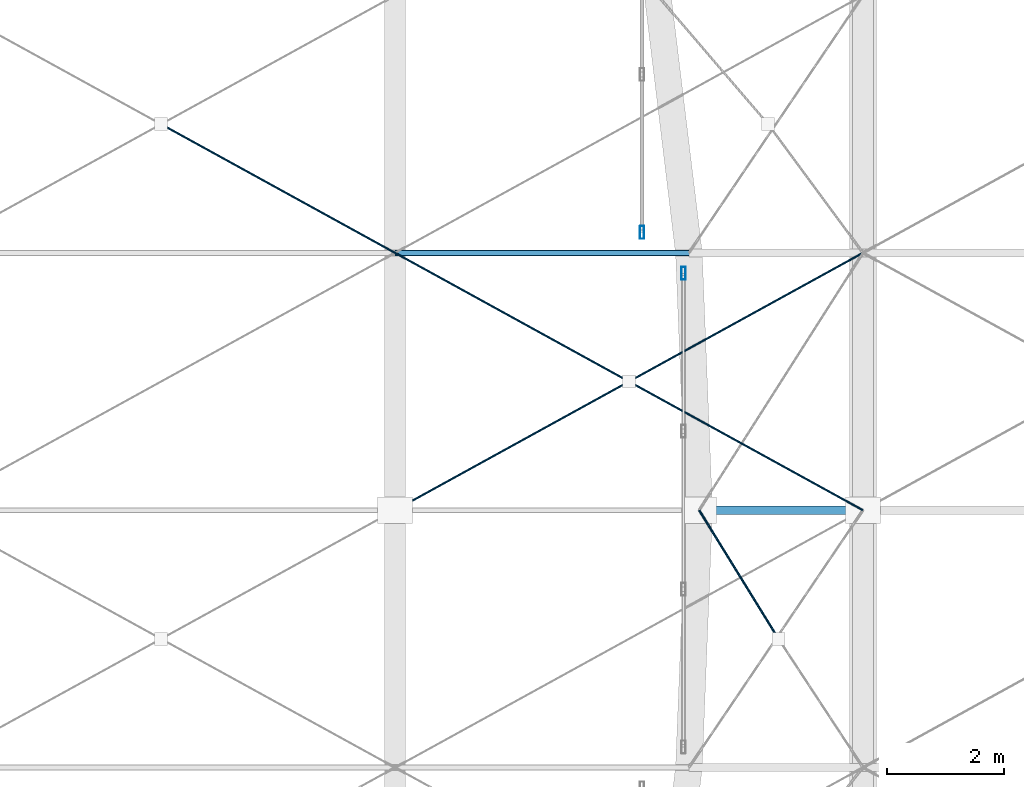
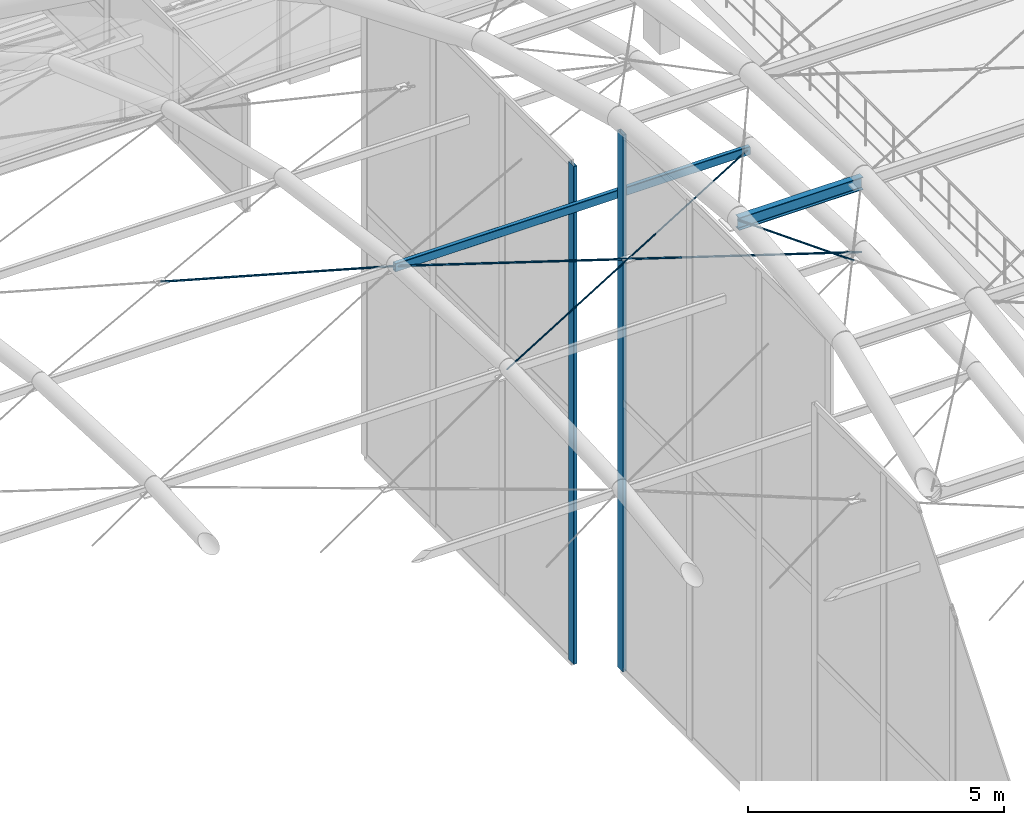
# One storey, part 27 of 163: 7 members, 2 beams, 2 elements without a shape of their own.
"""IFC4 building model written with IfcOpenShell, lengths in metres."""

from ifc_helpers import new_model, si_unit, direction, frame, origin, origin_2d, place, context, subcontext, project, spatial, hollow_rectangle, circle, i_section, extrude, material, material_profile, profile_set, type_object, element, aggregate, save


model = new_model("IFC4")

# Units and contexts
model_context = context("Model", 3, precision=1e-05, world=origin(), true_north=direction((0.0, 1.0)))
body_context = subcontext(model_context, "Body", "Model", "MODEL_VIEW")
ifc_project = project(units=[si_unit("LENGTHUNIT", "METRE"), si_unit("AREAUNIT", "SQUARE_METRE"), si_unit("VOLUMEUNIT", "CUBIC_METRE"), si_unit("PLANEANGLEUNIT", "RADIAN"), si_unit("MASSUNIT", "GRAM", prefix="KILO")], contexts=[model_context])

# Site, building, storey
site_placement = place(None, origin())
site = spatial("IfcSite", under=ifc_project, at=site_placement, CompositionType="ELEMENT")
building_placement = place(site_placement, origin())
building = spatial("IfcBuilding", under=site, at=building_placement, Name="Varnabhumi Central Station", CompositionType="ELEMENT")
storey_placement = place(building_placement, frame((0.0, 0.0, 9.60009765625)))
storey = spatial("IfcBuildingStorey", under=building, at=storey_placement, Name="L02", CompositionType="ELEMENT", Elevation=9.60009765625)

# Beams
ifc_material_1 = material(Name="Structural steel E350", Category="steel")
ifc_material_profile_1 = material_profile(ifc_material_1, i_section(OverallWidth=0.139892578125, OverallDepth=0.300048828125, WebThickness=0.0078125, FlangeThickness=0.01318359375, FilletRadius=0.013916015625, at=origin_2d()), Name="Structural steel E350", Category="steel")
ifc_profile_set_1 = profile_set([ifc_material_profile_1], Name="Structural steel E350")
beam_type_1 = type_object("IfcBeamType", Name="BM-PUR-ISMB300", PredefinedType="LINTEL", material=ifc_profile_set_1)
beam_1_placement = place(storey_placement, frame((45.199951171875, 58.0, 10.599853515625), z_axis=(1.0, 0.0, 0.0), x_axis=(0.0, 1.0, 0.0)))
element("IfcBeam", 1, at=beam_1_placement, inside=storey, type_object=beam_type_1, Name="Ticket Hall Vault Purlin B1-L5", PredefinedType="LINTEL", context=body_context, shape_type="SweptSolid", body=[
    extrude(i_section(OverallWidth=0.139892578125, OverallDepth=0.300048828125, WebThickness=0.0078125, FlangeThickness=0.01318359375, FilletRadius=0.013916015625, at=origin_2d()), origin(), (0.0, 0.0, 1.0), 2.800048828125),
])
ifc_material_profile_2 = material_profile(ifc_material_1, hollow_rectangle(XDim=0.10009765625, YDim=0.199951171875, WallThickness=0.008056640625, InnerFilletRadius=0.008056640625, OuterFilletRadius=0.01611328125, at=origin_2d()), Name="Structural steel E350", Category="steel")
ifc_profile_set_2 = profile_set([ifc_material_profile_2], Name="Structural steel E350")
beam_type_2 = type_object("IfcBeamType", Name="BM-PUR-RHS200", PredefinedType="JOIST", material=ifc_profile_set_2)
beam_2_placement = place(storey_placement, frame((40.0, 62.39990234375, 8.697265625), z_axis=(1.0, 0.0, 0.0), x_axis=(0.0, 1.0, 0.0)))
element("IfcBeam", 2, at=beam_2_placement, inside=storey, type_object=beam_type_2, Name="Entrance Portico Vault Purlin B4-L6", PredefinedType="JOIST", context=body_context, shape_type="SweptSolid", body=[
    extrude(hollow_rectangle(XDim=0.10009765625, YDim=0.199951171875, WallThickness=0.008056640625, InnerFilletRadius=0.008056640625, OuterFilletRadius=0.01611328125, at=origin_2d()), origin(), (0.0, 0.0, 1.0), 8.0),
])

# Curtain wall, member
ifc_material_2 = material(Name="Anodised aluminium 6063-T6", Category="aluminium")
curtain_wall_type = type_object("IfcCurtainWallType", Name="CW-VAULT-ARCH-V3", PredefinedType="NOTDEFINED", material=ifc_material_2)
curtain_wall_1_placement = place(storey_placement, origin())
curtain_wall_1 = element("IfcCurtainWall", 3, at=curtain_wall_1_placement, inside=storey, type_object=curtain_wall_type, Name="Curtain Wall CW-V33", PredefinedType="NOTDEFINED")
ifc_material_profile_3 = material_profile(ifc_material_2, hollow_rectangle(XDim=0.074951171875, YDim=0.219970703125, WallThickness=0.0048828125, InnerFilletRadius=0.0009765625, OuterFilletRadius=0.006103515625, at=origin_2d()), Name="Anodised aluminium 6063-T6", Category="aluminium")
ifc_profile_set_3 = profile_set([ifc_material_profile_3], Name="Anodised aluminium 6063-T6")
member_type_1 = type_object("IfcMemberType", Name="CW-MUL-220", PredefinedType="MULLION", material=ifc_profile_set_3)
member_1_placement = place(storey_placement, frame((44.931884765625, 62.050048828125, -2.400146484375), z_axis=(0.0, 0.0, 1.0), x_axis=(1.0, 0.0, 0.0)))
member_1 = element("IfcMember", 4, at=member_1_placement, type_object=member_type_1, Name="Curtain Wall Mullion CW-V33-M4", PredefinedType="MULLION", context=body_context, shape_type="SweptSolid", body=[
    extrude(hollow_rectangle(XDim=0.074951171875, YDim=0.219970703125, WallThickness=0.0048828125, InnerFilletRadius=0.0009765625, OuterFilletRadius=0.006103515625, at=origin_2d()), origin(), (0.0, 0.0, 1.0), 12.800048828125),
])
aggregate(curtain_wall_1, [member_1])

curtain_wall_2_placement = place(storey_placement, origin())
curtain_wall_2 = element("IfcCurtainWall", 5, at=curtain_wall_2_placement, inside=storey, type_object=curtain_wall_type, Name="Curtain Wall CW-V34", PredefinedType="NOTDEFINED")
member_2_placement = place(storey_placement, frame((44.22412109375, 62.75, -2.400146484375), z_axis=(0.0, 0.0, 1.0), x_axis=(1.0, 0.0, 0.0)))
member_2 = element("IfcMember", 6, at=member_2_placement, type_object=member_type_1, Name="Curtain Wall Mullion CW-V34-M1", PredefinedType="MULLION", context=body_context, shape_type="SweptSolid", body=[
    extrude(hollow_rectangle(XDim=0.074951171875, YDim=0.219970703125, WallThickness=0.0048828125, InnerFilletRadius=0.0009765625, OuterFilletRadius=0.006103515625, at=origin_2d()), origin(), (0.0, 0.0, 1.0), 11.87353515625),
])
aggregate(curtain_wall_2, [member_2])

# Members
ifc_material_3 = material(Name="Spiral-strand steel S1570", Category="steel")
ifc_material_profile_4 = material_profile(ifc_material_3, circle(Radius=0.01806640625, at=origin_2d()), Name="Spiral-strand steel S1570", Category="steel")
ifc_profile_set_4 = profile_set([ifc_material_profile_4], Name="Spiral-strand steel S1570")
member_type_2 = type_object("IfcMemberType", Name="MBR-CABLE-D36", PredefinedType="USERDEFINED", material=ifc_profile_set_4)
member_3_placement = place(storey_placement, frame((36.0, 64.60009765625, 8.409912109375), z_axis=(0.874218528757, -0.480862877268, 0.067177803205), x_axis=(0.481951596342, 0.876197842262, 0.0)))
element("IfcMember", 7, at=member_3_placement, inside=storey, type_object=member_type_2, Name="Entrance Portico Vault Cable-Net Split Tie B3-P7B2", ObjectType="TENSION CABLE", PredefinedType="USERDEFINED", context=body_context, shape_type="SweptSolid", body=[
    extrude(circle(Radius=0.01806640625, at=origin_2d()), origin(), (0.0, 0.0, 1.0), 4.575439453125),
])
member_4_placement = place(storey_placement, frame((40.0, 58.0, 8.919921875), z_axis=(0.876004697448, 0.48179189018, -0.022188839688), x_axis=(-0.481910537812, 0.876220425204, 0.0)))
element("IfcMember", 8, at=member_4_placement, inside=storey, type_object=member_type_2, Name="Entrance Portico Vault Cable-Net Tie B4-P6A", ObjectType="TENSION CABLE", PredefinedType="USERDEFINED", context=body_context, shape_type="SweptSolid", body=[
    extrude(circle(Radius=0.01806640625, at=origin_2d()), origin(), (0.0, 0.0, 1.0), 9.13232421875),
])
for number, where, z_axis, x_axis, name in (
    (9, (40.0, 62.39990234375, 8.71728515625), (0.876004697448, -0.48179189018, 0.022188839688), (0.481910537812, 0.876220425204, 0.0), "Entrance Portico Vault Cable-Net Split Tie B4-P6B1"),
    (10, (44.0, 60.199951171875, 8.818603515625), (0.876004697448, -0.48179189018, 0.022188839688), (0.481910537812, 0.876220425204, 0.0), "Entrance Portico Vault Cable-Net Split Tie B4-P6B2"),
):
    element("IfcMember", number, at=place(storey_placement, frame(where, z_axis=z_axis, x_axis=x_axis)), inside=storey, type_object=member_type_2, Name=name, ObjectType="TENSION CABLE", PredefinedType="USERDEFINED", context=body_context, shape_type="SweptSolid", body=[
        extrude(circle(Radius=0.01806640625, at=origin_2d()), origin(), (0.0, 0.0, 1.0), 4.566162109375),
    ])
ifc_material_profile_5 = material_profile(ifc_material_3, circle(Radius=0.02099609375, at=origin_2d()), Name="Spiral-strand steel S1570", Category="steel")
ifc_profile_set_5 = profile_set([ifc_material_profile_5], Name="Spiral-strand steel S1570")
member_type_3 = type_object("IfcMemberType", Name="MBR-CABLE-D42", PredefinedType="USERDEFINED", material=ifc_profile_set_5)
member_5_placement = place(storey_placement, frame((45.199951171875, 58.0, 10.669921875), z_axis=(0.524250163215, -0.850408320564, -0.044355999408), x_axis=(0.851246126943, 0.524766644675, 0.0)))
element("IfcMember", 11, at=member_5_placement, inside=storey, type_object=member_type_3, Name="Ticket Hall Vault Cable-Net Split Tie B1-P5B1", ObjectType="TENSION CABLE", PredefinedType="USERDEFINED", context=body_context, shape_type="SweptSolid", body=[
    extrude(circle(Radius=0.02099609375, at=origin_2d()), origin(), (0.0, 0.0, 1.0), 2.5869140625),
])

save(model, "model.ifc")
